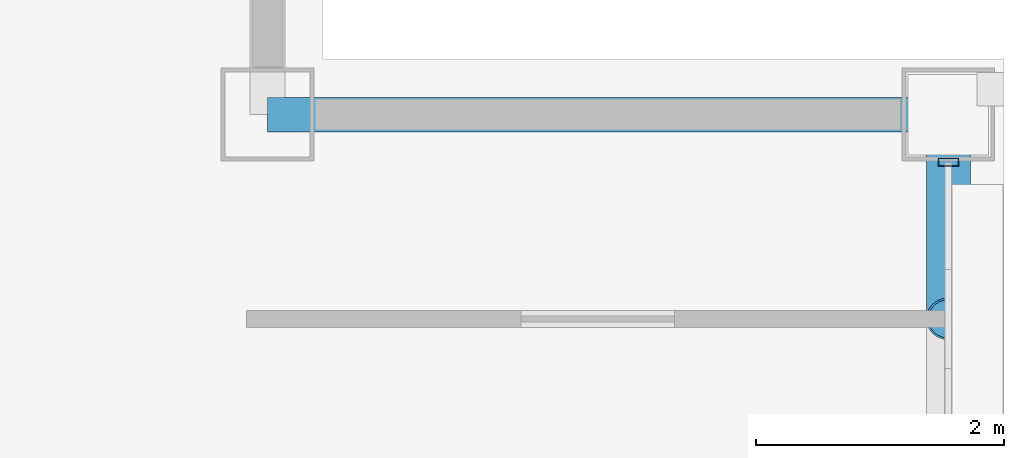
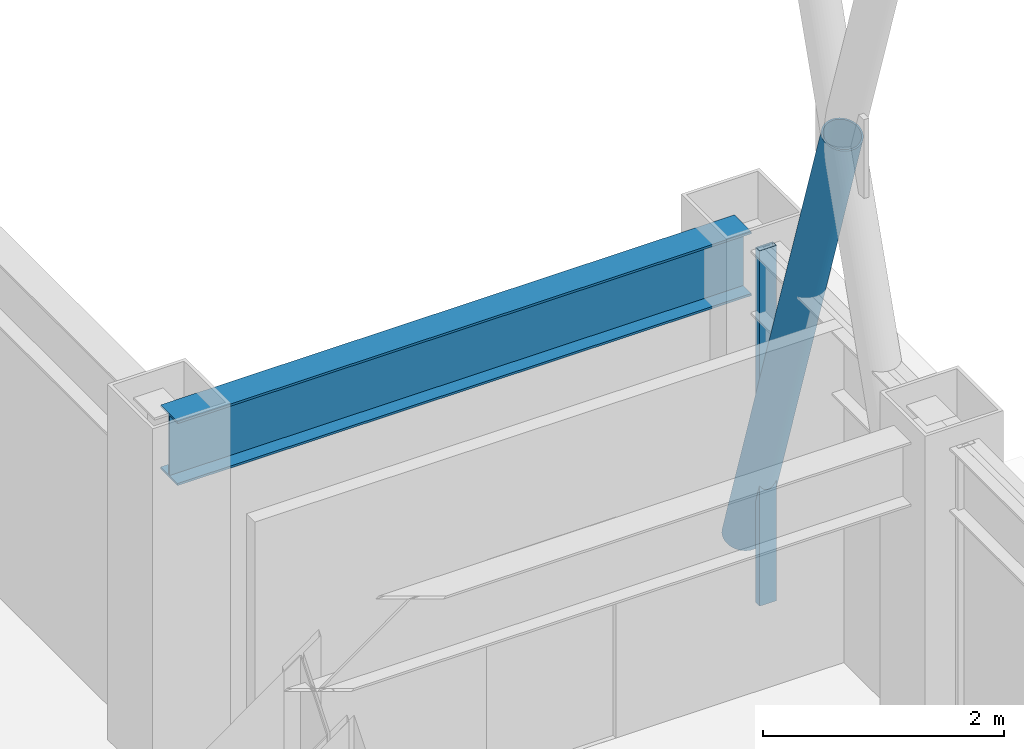
# One storey, part 23 of 30: 2 members, 1 beam, 1 element without a shape of its own.
"""IFC4 building model written with IfcOpenShell, lengths in metres."""

from ifc_helpers import new_model, si_unit, direction, frame, origin, origin_2d, place, context, subcontext, project, spatial, hollow_rectangle, hollow_circle, i_section, extrude, material, layer, layer_set, material_profile, profile_set, type_object, element, aggregate, save


model = new_model("IFC4")

# Units and contexts
model_context = context("Model", 3, precision=1e-05, world=origin(), true_north=direction((0.0, 1.0)))
body_context = subcontext(model_context, "Body", "Model", "MODEL_VIEW")
ifc_project = project(units=[si_unit("LENGTHUNIT", "METRE"), si_unit("AREAUNIT", "SQUARE_METRE"), si_unit("VOLUMEUNIT", "CUBIC_METRE"), si_unit("PLANEANGLEUNIT", "RADIAN"), si_unit("MASSUNIT", "GRAM", prefix="KILO")], contexts=[model_context])

# Site, building, storey
site_placement = place(None, origin())
site = spatial("IfcSite", under=ifc_project, at=site_placement, CompositionType="ELEMENT")
building_placement = place(site_placement, origin())
building = spatial("IfcBuilding", under=site, at=building_placement, Name="Brelmoor Portico Tower", CompositionType="ELEMENT")
storey_placement = place(building_placement, frame((0.0, 0.0, 173.10009765625)))
storey = spatial("IfcBuildingStorey", under=building, at=storey_placement, Name="L45", CompositionType="ELEMENT", Elevation=173.10009765625)

# Beam
ifc_material_1 = material(Name="Steel Q355B", Category="steel")
ifc_material_profile_1 = material_profile(ifc_material_1, i_section(OverallWidth=0.280029296875, OverallDepth=0.64990234375, WebThickness=0.012939453125, FlangeThickness=0.02197265625, at=origin_2d()), Name="HN 650x280x13x22")
ifc_profile_set_1 = profile_set([ifc_material_profile_1], Name="Steel Q355B")
beam_type = type_object("IfcBeamType", Name="BM-SP-650", PredefinedType="SPANDREL", material=ifc_profile_set_1)
beam_placement = place(storey_placement, frame((15.050048828125, 13.050048828125, 3.074951171875), z_axis=(1.0, 0.0, 0.0), x_axis=(0.0, 1.0, 0.0)))
element("IfcBeam", 1, at=beam_placement, inside=storey, type_object=beam_type, Name="L45 Perimeter Spandrel Beam SP-07", PredefinedType="SPANDREL", context=body_context, shape_type="SweptSolid", body=[
    extrude(i_section(OverallWidth=0.280029296875, OverallDepth=0.64990234375, WebThickness=0.012939453125, FlangeThickness=0.02197265625, at=origin_2d()), origin(), (0.0, 0.0, 1.0), 5.5),
])

# Member
ifc_material_profile_2 = material_profile(ifc_material_1, hollow_circle(Radius=0.177978515625, WallThickness=0.01611328125, at=origin_2d()), Name="CHS 356x16")
ifc_profile_set_2 = profile_set([ifc_material_profile_2], Name="Steel Q355B")
member_type_1 = type_object("IfcMemberType", Name="MB-BELT-DIAG2", PredefinedType="BRACE", material=ifc_profile_set_2)
member_1_placement = place(storey_placement, frame((20.550048828125, 13.050048828125, 0.25), z_axis=(0.0, -0.310611106373, 0.950537080075), x_axis=(1.0, 0.0, 0.0)))
element("IfcMember", 2, at=member_1_placement, inside=storey, type_object=member_type_1, Name="L45 Split Mega-X Brace 104B1", PredefinedType="BRACE", context=body_context, shape_type="SweptSolid", body=[
    extrude(hollow_circle(Radius=0.177978515625, WallThickness=0.01611328125, at=origin_2d()), origin(), (0.0, 0.0, 1.0), 5.3125),
])

# Curtain wall, member
ifc_material_2 = material(Name="Anodised Aluminium Alloy 6063-T6", Category="aluminium")
ifc_layer = layer(ifc_material_2, 0.179931640625)
ifc_layer_set = layer_set([ifc_layer], Name="Anodised Aluminium Alloy 6063-T6")
curtain_wall_type = type_object("IfcCurtainWallType", Name="CW-TOWER-Z3-XB", PredefinedType="NOTDEFINED", material=ifc_layer_set)
curtain_wall_placement = place(storey_placement, origin())
curtain_wall = element("IfcCurtainWall", 3, at=curtain_wall_placement, inside=storey, type_object=curtain_wall_type, Name="L45 Curtain Wall CW-L45-04-3", PredefinedType="NOTDEFINED")
ifc_material_profile_3 = material_profile(ifc_material_2, hollow_rectangle(XDim=0.06494140625, YDim=0.1650390625, WallThickness=0.00390625, at=origin_2d()), Name="ALU MULLION 65x165")
ifc_profile_set_3 = profile_set([ifc_material_profile_3], Name="Anodised Aluminium Alloy 6063-T6")
member_type_2 = type_object("IfcMemberType", Name="MB-CW-MULL-165", PredefinedType="MULLION", material=ifc_profile_set_3)
member_2_placement = place(storey_placement, frame((20.550048828125, 12.6650390625, -0.2001953125), z_axis=(0.0, 0.0, 1.0), x_axis=(0.0, 1.0, 0.0)))
member_2 = element("IfcMember", 4, at=member_2_placement, type_object=member_type_2, Name="CW-L45-04-3 Mullion 01", PredefinedType="MULLION", context=body_context, shape_type="SweptSolid", body=[
    extrude(hollow_rectangle(XDim=0.06494140625, YDim=0.1650390625, WallThickness=0.00390625, at=origin_2d()), origin(), (0.0, 0.0, 1.0), 3.60009765625),
])
aggregate(curtain_wall, [member_2])

save(model, "model.ifc")
